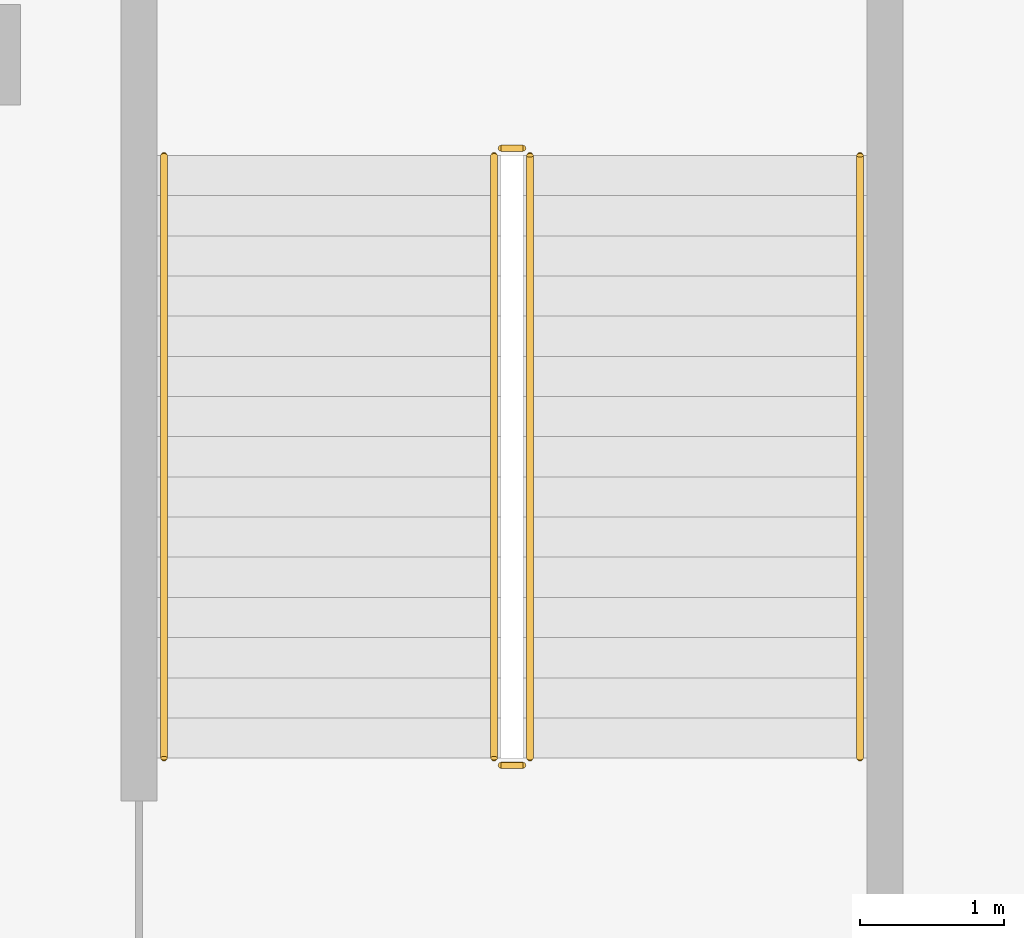
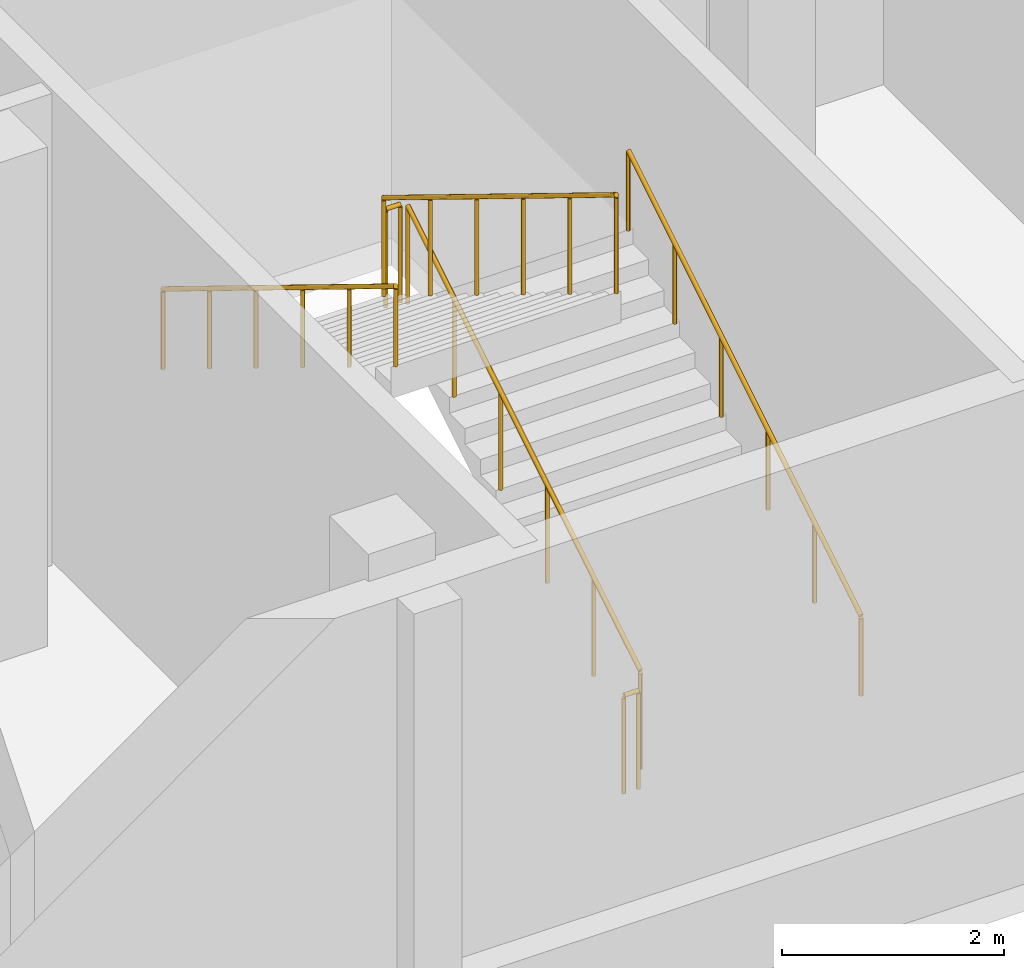
# One storey, part 31 of 35: 6 railings.
"""IFC4 building model written with IfcOpenShell, lengths in metres."""

from ifc_helpers import new_model, si_unit, direction, frame, origin, origin_2d, place, context, subcontext, project, spatial, circle, extrude, material, type_object, element, save


model = new_model("IFC4")

# Units and contexts
model_context = context("Model", 3, precision=1e-05, world=origin(), true_north=direction((0.0, 1.0)))
body_context = subcontext(model_context, "Body", "Model", "MODEL_VIEW")
ifc_project = project(units=[si_unit("LENGTHUNIT", "METRE"), si_unit("AREAUNIT", "SQUARE_METRE"), si_unit("VOLUMEUNIT", "CUBIC_METRE"), si_unit("PLANEANGLEUNIT", "RADIAN"), si_unit("MASSUNIT", "GRAM", prefix="KILO")], contexts=[model_context])

# Site, building, storey
site_placement = place(None, origin())
site = spatial("IfcSite", under=ifc_project, at=site_placement, CompositionType="ELEMENT")
building_placement = place(site_placement, origin())
building = spatial("IfcBuilding", under=site, at=building_placement, Name="Tamorin Gate", CompositionType="ELEMENT")
storey_placement = place(building_placement, frame((0.0, 0.0, 8.0)))
storey = spatial("IfcBuildingStorey", under=building, at=storey_placement, Name="L01", CompositionType="ELEMENT", Elevation=8.0)

# Railings
ifc_material = material(Name="Steel, galvanised", Category="steel")
railing_type_1 = type_object("IfcRailingType", Name="Steel guard 1100 museum", PredefinedType="GUARDRAIL", material=ifc_material)
railing_1_placement = place(storey_placement, frame((197.60009765625, 57.800048828125, 0.171875)))
element("IfcRailing", 1, at=railing_1_placement, inside=storey, type_object=railing_type_1, Name="L01 PS7 stair guard 1", PredefinedType="GUARDRAIL", context=body_context, shape_type="SweptSolid", body=[
    extrude(circle(Radius=0.02392578125, at=origin_2d()), frame((0.0, 0.0, 1.076171875), z_axis=(0.0, 0.852242915053, 0.523146264196), x_axis=(-1.0, 0.0, 0.0)), (0.0, 0.0, 1.0), 4.92822265625),
    extrude(circle(Radius=0.02099609375, at=origin_2d()), origin(), (0.0, 0.0, 1.0), 1.052001953125),
    extrude(circle(Radius=0.02099609375, at=origin_2d()), frame((0.0, 0.840087890625, 0.515625)), (0.0, 0.0, 1.0), 1.052001953125),
    extrude(circle(Radius=0.02099609375, at=origin_2d()), frame((0.0, 1.679931640625, 1.03125)), (0.0, 0.0, 1.0), 1.052001953125),
    extrude(circle(Radius=0.02099609375, at=origin_2d()), frame((0.0, 2.52001953125, 1.546875)), (0.0, 0.0, 1.0), 1.052001953125),
    extrude(circle(Radius=0.02099609375, at=origin_2d()), frame((0.0, 3.35986328125, 2.0625)), (0.0, 0.0, 1.0), 1.052001953125),
    extrude(circle(Radius=0.02099609375, at=origin_2d()), frame((0.0, 4.199951171875, 2.578125)), (0.0, 0.0, 1.0), 1.052001953125),
])
railing_2_placement = place(storey_placement, frame((197.550048828125, 62.050048828125, 2.75)))
element("IfcRailing", 2, at=railing_2_placement, inside=storey, type_object=railing_type_1, Name="L01 PS7 stair guard 2", PredefinedType="GUARDRAIL", context=body_context, shape_type="SweptSolid", body=[
    extrude(circle(Radius=0.02392578125, at=origin_2d()), frame((0.0, 0.0, 1.076171875), z_axis=(-1.0, 0.0, 0.0), x_axis=(0.0, -1.0, 0.0)), (0.0, 0.0, 1.0), 0.150146484375),
    extrude(circle(Radius=0.02099609375, at=origin_2d()), origin(), (0.0, 0.0, 1.0), 1.052001953125),
    extrude(circle(Radius=0.02099609375, at=origin_2d()), frame((-0.150146484375, 0.0, 0.0)), (0.0, 0.0, 1.0), 1.052001953125),
])
railing_3_placement = place(storey_placement, frame((197.35009765625, 62.0, 2.921875)))
element("IfcRailing", 3, at=railing_3_placement, inside=storey, type_object=railing_type_1, Name="L01 PS7 stair guard 3", PredefinedType="GUARDRAIL", context=body_context, shape_type="SweptSolid", body=[
    extrude(circle(Radius=0.02392578125, at=origin_2d()), frame((0.0, 0.0, 1.076171875), z_axis=(0.0, -0.852242915053, 0.523146264196), x_axis=(1.0, 0.0, 0.0)), (0.0, 0.0, 1.0), 4.92822265625),
    extrude(circle(Radius=0.02099609375, at=origin_2d()), origin(), (0.0, 0.0, 1.0), 1.052001953125),
    extrude(circle(Radius=0.02099609375, at=origin_2d()), frame((0.0, -0.840087890625, 0.515625)), (0.0, 0.0, 1.0), 1.052001953125),
    extrude(circle(Radius=0.02099609375, at=origin_2d()), frame((0.0, -1.679931640625, 1.03125)), (0.0, 0.0, 1.0), 1.052001953125),
    extrude(circle(Radius=0.02099609375, at=origin_2d()), frame((0.0, -2.52001953125, 1.546875)), (0.0, 0.0, 1.0), 1.052001953125),
    extrude(circle(Radius=0.02099609375, at=origin_2d()), frame((0.0, -3.35986328125, 2.0625)), (0.0, 0.0, 1.0), 1.052001953125),
    extrude(circle(Radius=0.02099609375, at=origin_2d()), frame((0.0, -4.199951171875, 2.578125)), (0.0, 0.0, 1.0), 1.052001953125),
])
railing_4_placement = place(storey_placement, frame((197.550048828125, 57.75, 0.0)))
element("IfcRailing", 4, at=railing_4_placement, inside=storey, type_object=railing_type_1, Name="L01 PS7 stair guard 4", PredefinedType="GUARDRAIL", context=body_context, shape_type="SweptSolid", body=[
    extrude(circle(Radius=0.02392578125, at=origin_2d()), frame((0.0, 0.0, 1.076171875), z_axis=(-1.0, 0.0, 0.0), x_axis=(0.0, -1.0, 0.0)), (0.0, 0.0, 1.0), 0.150146484375),
    extrude(circle(Radius=0.02099609375, at=origin_2d()), origin(), (0.0, 0.0, 1.0), 1.052001953125),
    extrude(circle(Radius=0.02099609375, at=origin_2d()), frame((-0.150146484375, 0.0, 0.0)), (0.0, 0.0, 1.0), 1.052001953125),
])
railing_type_2 = type_object("IfcRailingType", Name="Steel handrail 900 museum", PredefinedType="HANDRAIL", material=ifc_material)
railing_5_placement = place(storey_placement, frame((199.89990234375, 57.800048828125, 0.171875)))
element("IfcRailing", 5, at=railing_5_placement, inside=storey, type_object=railing_type_2, Name="L01 PS7 stair handrail 1", PredefinedType="HANDRAIL", context=body_context, shape_type="SweptSolid", body=[
    extrude(circle(Radius=0.02392578125, at=origin_2d()), frame((0.0, 0.0, 0.8759765625), z_axis=(0.0, 0.852242915053, 0.523146264196), x_axis=(-1.0, 0.0, 0.0)), (0.0, 0.0, 1.0), 4.92822265625),
    extrude(circle(Radius=0.02099609375, at=origin_2d()), origin(), (0.0, 0.0, 1.0), 0.851806640625),
    extrude(circle(Radius=0.02099609375, at=origin_2d()), frame((0.0, 0.840087890625, 0.515625)), (0.0, 0.0, 1.0), 0.851806640625),
    extrude(circle(Radius=0.02099609375, at=origin_2d()), frame((0.0, 1.679931640625, 1.03125)), (0.0, 0.0, 1.0), 0.851806640625),
    extrude(circle(Radius=0.02099609375, at=origin_2d()), frame((0.0, 2.52001953125, 1.546875)), (0.0, 0.0, 1.0), 0.851806640625),
    extrude(circle(Radius=0.02099609375, at=origin_2d()), frame((0.0, 3.35986328125, 2.0625)), (0.0, 0.0, 1.0), 0.851806640625),
    extrude(circle(Radius=0.02099609375, at=origin_2d()), frame((0.0, 4.199951171875, 2.578125)), (0.0, 0.0, 1.0), 0.851806640625),
])
railing_6_placement = place(storey_placement, frame((195.050048828125, 62.0, 2.921875)))
element("IfcRailing", 6, at=railing_6_placement, inside=storey, type_object=railing_type_2, Name="L01 PS7 stair handrail 2", PredefinedType="HANDRAIL", context=body_context, shape_type="SweptSolid", body=[
    extrude(circle(Radius=0.02392578125, at=origin_2d()), frame((0.0, 0.0, 0.8759765625), z_axis=(0.0, -0.852242915053, 0.523146264196), x_axis=(1.0, 0.0, 0.0)), (0.0, 0.0, 1.0), 4.92822265625),
    extrude(circle(Radius=0.02099609375, at=origin_2d()), origin(), (0.0, 0.0, 1.0), 0.851806640625),
    extrude(circle(Radius=0.02099609375, at=origin_2d()), frame((0.0, -0.840087890625, 0.515625)), (0.0, 0.0, 1.0), 0.851806640625),
    extrude(circle(Radius=0.02099609375, at=origin_2d()), frame((0.0, -1.679931640625, 1.03125)), (0.0, 0.0, 1.0), 0.851806640625),
    extrude(circle(Radius=0.02099609375, at=origin_2d()), frame((0.0, -2.52001953125, 1.546875)), (0.0, 0.0, 1.0), 0.851806640625),
    extrude(circle(Radius=0.02099609375, at=origin_2d()), frame((0.0, -3.35986328125, 2.0625)), (0.0, 0.0, 1.0), 0.851806640625),
    extrude(circle(Radius=0.02099609375, at=origin_2d()), frame((0.0, -4.199951171875, 2.578125)), (0.0, 0.0, 1.0), 0.851806640625),
])

save(model, "model.ifc")
